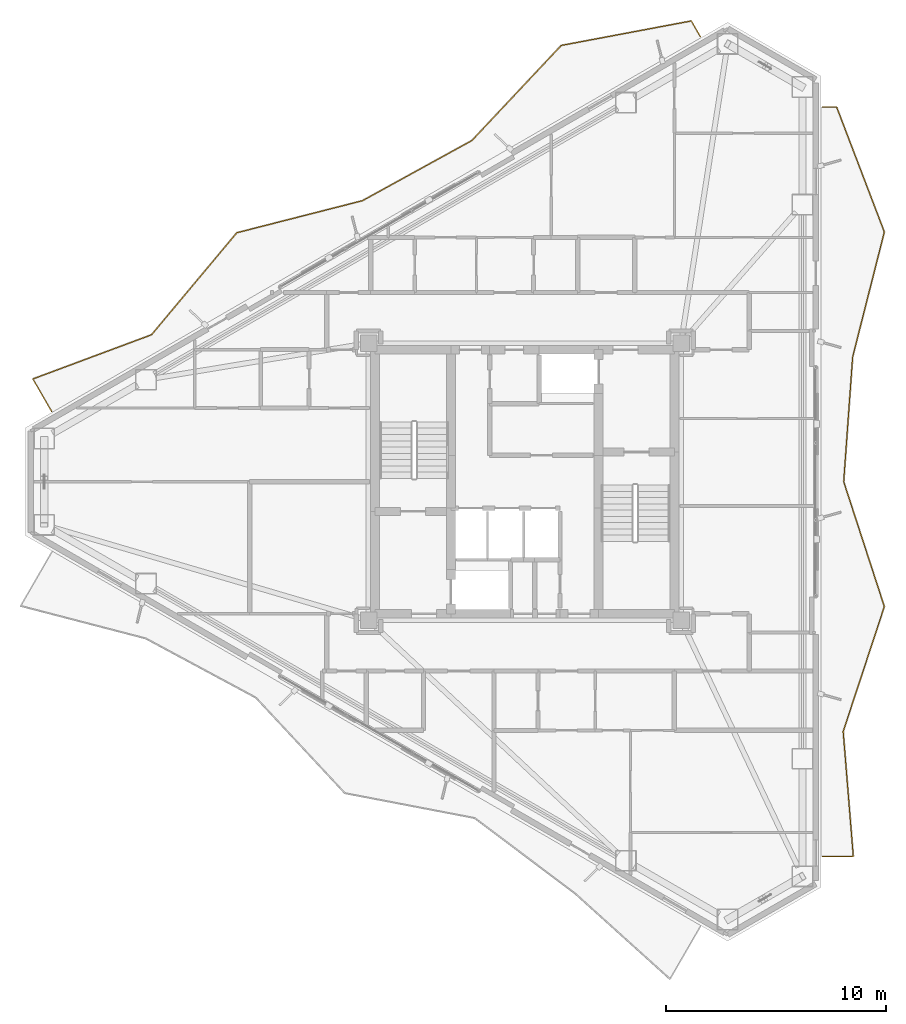
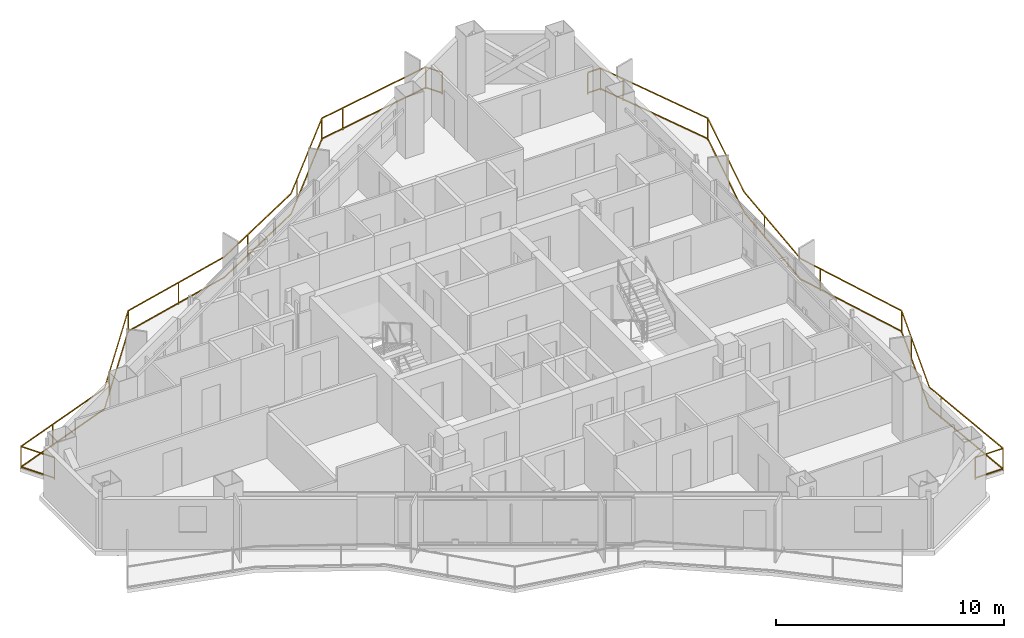
# One storey, part 19 of 19: 2 railings.
"""IFC4 building model written with IfcOpenShell, lengths in metres."""

from ifc_helpers import new_model, si_unit, direction, frame, origin, origin_2d, place, context, subcontext, project, spatial, rectangle, extrude, material, type_object, element, save


model = new_model("IFC4")

# Units and contexts
model_context = context("Model", 3, precision=1e-05, world=origin(), true_north=direction((0.0, 1.0)))
body_context = subcontext(model_context, "Body", "Model", "MODEL_VIEW")
ifc_project = project(units=[si_unit("LENGTHUNIT", "METRE"), si_unit("AREAUNIT", "SQUARE_METRE"), si_unit("VOLUMEUNIT", "CUBIC_METRE"), si_unit("PLANEANGLEUNIT", "RADIAN"), si_unit("MASSUNIT", "GRAM", prefix="KILO")], contexts=[model_context])

# Site, building, storey
site_placement = place(None, origin())
site = spatial("IfcSite", under=ifc_project, at=site_placement, CompositionType="ELEMENT")
building_placement = place(site_placement, origin())
building = spatial("IfcBuilding", under=site, at=building_placement, Name="Mersakhor Tower and Convention Hall", CompositionType="ELEMENT")
storey_placement = place(building_placement, frame((0.0, 0.0, 131.10009765625)))
storey = spatial("IfcBuildingStorey", under=building, at=storey_placement, Name="L36", CompositionType="ELEMENT", Elevation=131.10009765625)

# Railings
ifc_material = material(Name="Powder-coated galvanised steel and laminated glass balustrade", Category="steel")
railing_type = type_object("IfcRailingType", Name="RL-BAL-1200", PredefinedType="BALUSTRADE", material=ifc_material)
railing_1_placement = place(storey_placement, frame((36.983154296875, 46.969482421875, 0.0)))
element("IfcRailing", 1, at=railing_1_placement, inside=storey, type_object=railing_type, Name="L36 Sinusoidal Balcony Balustrade F1", PredefinedType="BALUSTRADE", context=body_context, shape_type="SweptSolid", body=[
    extrude(rectangle(XDim=0.048095703125, YDim=0.048095703125, at=origin_2d()), frame((0.0, 0.0, 1.17578125), z_axis=(-0.500002839747, 0.86602376425, 0.0), x_axis=(-0.86602376425, -0.500002839747, 0.0)), (0.0, 0.0, 1.0), 0.8291015625),
    extrude(rectangle(XDim=0.048095703125, YDim=0.048095703125, at=origin_2d()), frame((0.0, 0.0, 0.080078125), z_axis=(-0.500002839747, 0.86602376425, 0.0), x_axis=(-0.86602376425, -0.500002839747, 0.0)), (0.0, 0.0, 1.0), 0.8291015625),
    extrude(rectangle(XDim=0.048095703125, YDim=0.048095703125, at=origin_2d()), frame((-0.41455078125, 0.718017578125, 1.17578125), z_axis=(-0.982730805259, -0.18504098031, 0.0), x_axis=(0.18504098031, -0.982730805259, 0.0)), (0.0, 0.0, 1.0), 6.013671875),
    extrude(rectangle(XDim=0.048095703125, YDim=0.048095703125, at=origin_2d()), frame((-0.41455078125, 0.718017578125, 0.080078125), z_axis=(-0.982730805259, -0.18504098031, 0.0), x_axis=(0.18504098031, -0.982730805259, 0.0)), (0.0, 0.0, 1.0), 6.013671875),
    extrude(rectangle(XDim=0.048095703125, YDim=0.048095703125, at=origin_2d()), frame((-6.324462890625, -0.394775390625, 1.17578125), z_axis=(-0.6846628634, -0.728859906622, 0.0), x_axis=(0.728859906622, -0.6846628634, 0.0)), (0.0, 0.0, 1.0), 5.92724609375),
    extrude(rectangle(XDim=0.048095703125, YDim=0.048095703125, at=origin_2d()), frame((-6.324462890625, -0.394775390625, 0.080078125), z_axis=(-0.6846628634, -0.728859906622, 0.0), x_axis=(0.728859906622, -0.6846628634, 0.0)), (0.0, 0.0, 1.0), 5.92724609375),
    extrude(rectangle(XDim=0.048095703125, YDim=0.048095703125, at=origin_2d()), frame((-10.382568359375, -4.71484375, 1.17578125), z_axis=(-0.876289464142, -0.481784988385, 0.0), x_axis=(0.481784988385, -0.876289464142, 0.0)), (0.0, 0.0, 1.0), 5.675537109375),
    extrude(rectangle(XDim=0.048095703125, YDim=0.048095703125, at=origin_2d()), frame((-10.382568359375, -4.71484375, 0.080078125), z_axis=(-0.876289464142, -0.481784988385, 0.0), x_axis=(0.481784988385, -0.876289464142, 0.0)), (0.0, 0.0, 1.0), 5.675537109375),
    extrude(rectangle(XDim=0.048095703125, YDim=0.048095703125, at=origin_2d()), frame((-15.35595703125, -7.44921875, 1.17578125), z_axis=(-0.968951712512, -0.247250033002, 0.0), x_axis=(0.247250033002, -0.968951712512, 0.0)), (0.0, 0.0, 1.0), 5.89404296875),
    extrude(rectangle(XDim=0.048095703125, YDim=0.048095703125, at=origin_2d()), frame((-15.35595703125, -7.44921875, 0.080078125), z_axis=(-0.968951712512, -0.247250033002, 0.0), x_axis=(0.247250033002, -0.968951712512, 0.0)), (0.0, 0.0, 1.0), 5.89404296875),
    extrude(rectangle(XDim=0.048095703125, YDim=0.048095703125, at=origin_2d()), frame((-21.06689453125, -8.906494140625, 1.17578125), z_axis=(-0.641332144332, -0.76726337111, 0.0), x_axis=(0.76726337111, -0.641332144332, 0.0)), (0.0, 0.0, 1.0), 6.04296875),
    extrude(rectangle(XDim=0.048095703125, YDim=0.048095703125, at=origin_2d()), frame((-21.06689453125, -8.906494140625, 0.080078125), z_axis=(-0.641332144332, -0.76726337111, 0.0), x_axis=(0.76726337111, -0.641332144332, 0.0)), (0.0, 0.0, 1.0), 6.04296875),
    extrude(rectangle(XDim=0.048095703125, YDim=0.048095703125, at=origin_2d()), frame((-24.9423828125, -13.54296875, 1.17578125), z_axis=(-0.937146050203, -0.348937359118, 0.0), x_axis=(0.348937359118, -0.937146050203, 0.0)), (0.0, 0.0, 1.0), 5.7548828125),
    extrude(rectangle(XDim=0.048095703125, YDim=0.048095703125, at=origin_2d()), frame((-24.9423828125, -13.54296875, 0.080078125), z_axis=(-0.937146050203, -0.348937359118, 0.0), x_axis=(0.348937359118, -0.937146050203, 0.0)), (0.0, 0.0, 1.0), 5.7548828125),
    extrude(rectangle(XDim=0.048095703125, YDim=0.048095703125, at=origin_2d()), frame((-30.33544921875, -15.551025390625, 1.17578125), z_axis=(0.500062241894, -0.865989465428, 0.0), x_axis=(0.865989465428, 0.500062241894, 0.0)), (0.0, 0.0, 1.0), 1.699951171875),
    extrude(rectangle(XDim=0.048095703125, YDim=0.048095703125, at=origin_2d()), frame((-30.33544921875, -15.551025390625, 0.080078125), z_axis=(0.500062241894, -0.865989465428, 0.0), x_axis=(0.865989465428, 0.500062241894, 0.0)), (0.0, 0.0, 1.0), 1.699951171875),
    extrude(rectangle(XDim=0.0419921875, YDim=0.0419921875, at=origin_2d()), origin(), (0.0, 0.0, 1.0), 1.15185546875),
    extrude(rectangle(XDim=0.0419921875, YDim=0.0419921875, at=origin_2d()), frame((-0.41455078125, 0.718017578125, 0.0)), (0.0, 0.0, 1.0), 1.15185546875),
    extrude(rectangle(XDim=0.0419921875, YDim=0.0419921875, at=origin_2d()), frame((-5.131591796875, -0.170166015625, 0.0)), (0.0, 0.0, 1.0), 1.15185546875),
    extrude(rectangle(XDim=0.0419921875, YDim=0.0419921875, at=origin_2d()), frame((-6.324462890625, -0.394775390625, 0.0)), (0.0, 0.0, 1.0), 1.15185546875),
    extrude(rectangle(XDim=0.0419921875, YDim=0.0419921875, at=origin_2d()), frame((-9.61083984375, -3.893310546875, 0.0)), (0.0, 0.0, 1.0), 1.15185546875),
    extrude(rectangle(XDim=0.0419921875, YDim=0.0419921875, at=origin_2d()), frame((-13.60107421875, -6.484375, 0.0)), (0.0, 0.0, 1.0), 1.15185546875),
    extrude(rectangle(XDim=0.0419921875, YDim=0.0419921875, at=origin_2d()), frame((-18.06640625, -8.140869140625, 0.0)), (0.0, 0.0, 1.0), 1.15185546875),
    extrude(rectangle(XDim=0.0419921875, YDim=0.0419921875, at=origin_2d()), frame((-21.06689453125, -8.906494140625, 0.0)), (0.0, 0.0, 1.0), 1.15185546875),
    extrude(rectangle(XDim=0.0419921875, YDim=0.0419921875, at=origin_2d()), frame((-24.145263671875, -12.58935546875, 0.0)), (0.0, 0.0, 1.0), 1.15185546875),
    extrude(rectangle(XDim=0.0419921875, YDim=0.0419921875, at=origin_2d()), frame((-28.27587890625, -14.7841796875, 0.0)), (0.0, 0.0, 1.0), 1.15185546875),
    extrude(rectangle(XDim=0.0419921875, YDim=0.0419921875, at=origin_2d()), frame((-30.33544921875, -15.551025390625, 0.0)), (0.0, 0.0, 1.0), 1.15185546875),
    extrude(rectangle(XDim=0.0419921875, YDim=0.0419921875, at=origin_2d()), frame((-29.4853515625, -17.023193359375, 0.0)), (0.0, 0.0, 1.0), 1.15185546875),
])
railing_2_placement = place(storey_placement, frame((42.519287109375, 9.726806640625, 0.0)))
element("IfcRailing", 2, at=railing_2_placement, inside=storey, type_object=railing_type, Name="L36 Sinusoidal Balcony Balustrade F2", PredefinedType="BALUSTRADE", context=body_context, shape_type="SweptSolid", body=[
    extrude(rectangle(XDim=0.048095703125, YDim=0.048095703125, at=origin_2d()), frame((0.0, 0.0, 1.17578125), z_axis=(1.0, 0.0, 0.0), x_axis=(0.0, 1.0, 0.0)), (0.0, 0.0, 1.0), 1.408203125),
    extrude(rectangle(XDim=0.048095703125, YDim=0.048095703125, at=origin_2d()), frame((0.0, 0.0, 0.080078125), z_axis=(1.0, 0.0, 0.0), x_axis=(0.0, 1.0, 0.0)), (0.0, 0.0, 1.0), 1.408203125),
    extrude(rectangle(XDim=0.048095703125, YDim=0.048095703125, at=origin_2d()), frame((1.408203125, 0.0, 1.17578125), z_axis=(-0.080709931304, 0.996737631972, 0.0), x_axis=(-0.996737631972, -0.080709931304, 0.0)), (0.0, 0.0, 1.0), 5.69287109375),
    extrude(rectangle(XDim=0.048095703125, YDim=0.048095703125, at=origin_2d()), frame((1.408203125, 0.0, 0.080078125), z_axis=(-0.080709931304, 0.996737631972, 0.0), x_axis=(-0.996737631972, -0.080709931304, 0.0)), (0.0, 0.0, 1.0), 5.69287109375),
    extrude(rectangle(XDim=0.048095703125, YDim=0.048095703125, at=origin_2d()), frame((0.94873046875, 5.67431640625, 1.17578125), z_axis=(0.313149361438, 0.949703889342, 0.0), x_axis=(-0.949703889342, 0.313149361438, 0.0)), (0.0, 0.0, 1.0), 5.97509765625),
    extrude(rectangle(XDim=0.048095703125, YDim=0.048095703125, at=origin_2d()), frame((0.94873046875, 5.67431640625, 0.080078125), z_axis=(0.313149361438, 0.949703889342, 0.0), x_axis=(-0.949703889342, 0.313149361438, 0.0)), (0.0, 0.0, 1.0), 5.97509765625),
    extrude(rectangle(XDim=0.048095703125, YDim=0.048095703125, at=origin_2d()), frame((2.81982421875, 11.348876953125, 1.17578125), z_axis=(-0.30961701588, 0.950861348188, 0.0), x_axis=(-0.950861348188, -0.30961701588, 0.0)), (0.0, 0.0, 1.0), 5.967529296875),
    extrude(rectangle(XDim=0.048095703125, YDim=0.048095703125, at=origin_2d()), frame((2.81982421875, 11.348876953125, 0.080078125), z_axis=(-0.30961701588, 0.950861348188, 0.0), x_axis=(-0.950861348188, -0.30961701588, 0.0)), (0.0, 0.0, 1.0), 5.967529296875),
    extrude(rectangle(XDim=0.048095703125, YDim=0.048095703125, at=origin_2d()), frame((0.97216796875, 17.023193359375, 1.17578125), z_axis=(0.071625220139, 0.997431615621, 0.0), x_axis=(-0.997431615621, 0.071625220139, 0.0)), (0.0, 0.0, 1.0), 5.68896484375),
    extrude(rectangle(XDim=0.048095703125, YDim=0.048095703125, at=origin_2d()), frame((0.97216796875, 17.023193359375, 0.080078125), z_axis=(0.071625220139, 0.997431615621, 0.0), x_axis=(-0.997431615621, 0.071625220139, 0.0)), (0.0, 0.0, 1.0), 5.68896484375),
    extrude(rectangle(XDim=0.048095703125, YDim=0.048095703125, at=origin_2d()), frame((1.379638671875, 22.697509765625, 1.17578125), z_axis=(0.24588022592, 0.969300218973, 0.0), x_axis=(-0.969300218973, 0.24588022592, 0.0)), (0.0, 0.0, 1.0), 5.854248046875),
    extrude(rectangle(XDim=0.048095703125, YDim=0.048095703125, at=origin_2d()), frame((1.379638671875, 22.697509765625, 0.080078125), z_axis=(0.24588022592, 0.969300218973, 0.0), x_axis=(-0.969300218973, 0.24588022592, 0.0)), (0.0, 0.0, 1.0), 5.854248046875),
    extrude(rectangle(XDim=0.048095703125, YDim=0.048095703125, at=origin_2d()), frame((2.819091796875, 28.3720703125, 1.17578125), z_axis=(-0.356764071167, 0.934194518034, 0.0), x_axis=(-0.934194518034, -0.356764071167, 0.0)), (0.0, 0.0, 1.0), 6.073974609375),
    extrude(rectangle(XDim=0.048095703125, YDim=0.048095703125, at=origin_2d()), frame((2.819091796875, 28.3720703125, 0.080078125), z_axis=(-0.356764071167, 0.934194518034, 0.0), x_axis=(-0.934194518034, -0.356764071167, 0.0)), (0.0, 0.0, 1.0), 6.073974609375),
    extrude(rectangle(XDim=0.048095703125, YDim=0.048095703125, at=origin_2d()), frame((0.652099609375, 34.04638671875, 1.17578125), z_axis=(-1.0, 0.0, 0.0), x_axis=(0.0, -1.0, 0.0)), (0.0, 0.0, 1.0), 0.652099609375),
    extrude(rectangle(XDim=0.048095703125, YDim=0.048095703125, at=origin_2d()), frame((0.652099609375, 34.04638671875, 0.080078125), z_axis=(-1.0, 0.0, 0.0), x_axis=(0.0, -1.0, 0.0)), (0.0, 0.0, 1.0), 0.652099609375),
    extrude(rectangle(XDim=0.0419921875, YDim=0.0419921875, at=origin_2d()), origin(), (0.0, 0.0, 1.0), 1.15185546875),
    extrude(rectangle(XDim=0.0419921875, YDim=0.0419921875, at=origin_2d()), frame((1.408203125, 0.0, 0.0)), (0.0, 0.0, 1.0), 1.15185546875),
    extrude(rectangle(XDim=0.0419921875, YDim=0.0419921875, at=origin_2d()), frame((1.020751953125, 4.784423828125, 0.0)), (0.0, 0.0, 1.0), 1.15185546875),
    extrude(rectangle(XDim=0.0419921875, YDim=0.0419921875, at=origin_2d()), frame((2.172119140625, 9.385009765625, 0.0)), (0.0, 0.0, 1.0), 1.15185546875),
    extrude(rectangle(XDim=0.0419921875, YDim=0.0419921875, at=origin_2d()), frame((2.81982421875, 11.348876953125, 0.0)), (0.0, 0.0, 1.0), 1.15185546875),
    extrude(rectangle(XDim=0.0419921875, YDim=0.0419921875, at=origin_2d()), frame((1.333740234375, 15.9130859375, 0.0)), (0.0, 0.0, 1.0), 1.15185546875),
    extrude(rectangle(XDim=0.0419921875, YDim=0.0419921875, at=origin_2d()), frame((1.232421875, 20.646240234375, 0.0)), (0.0, 0.0, 1.0), 1.15185546875),
    extrude(rectangle(XDim=0.0419921875, YDim=0.0419921875, at=origin_2d()), frame((2.05419921875, 25.356689453125, 0.0)), (0.0, 0.0, 1.0), 1.15185546875),
    extrude(rectangle(XDim=0.0419921875, YDim=0.0419921875, at=origin_2d()), frame((2.819091796875, 28.3720703125, 0.0)), (0.0, 0.0, 1.0), 1.15185546875),
    extrude(rectangle(XDim=0.0419921875, YDim=0.0419921875, at=origin_2d()), frame((1.106689453125, 32.856201171875, 0.0)), (0.0, 0.0, 1.0), 1.15185546875),
    extrude(rectangle(XDim=0.0419921875, YDim=0.0419921875, at=origin_2d()), frame((0.652099609375, 34.04638671875, 0.0)), (0.0, 0.0, 1.0), 1.15185546875),
    extrude(rectangle(XDim=0.0419921875, YDim=0.0419921875, at=origin_2d()), frame((0.0, 34.04638671875, 0.0)), (0.0, 0.0, 1.0), 1.15185546875),
])

save(model, "model.ifc")
